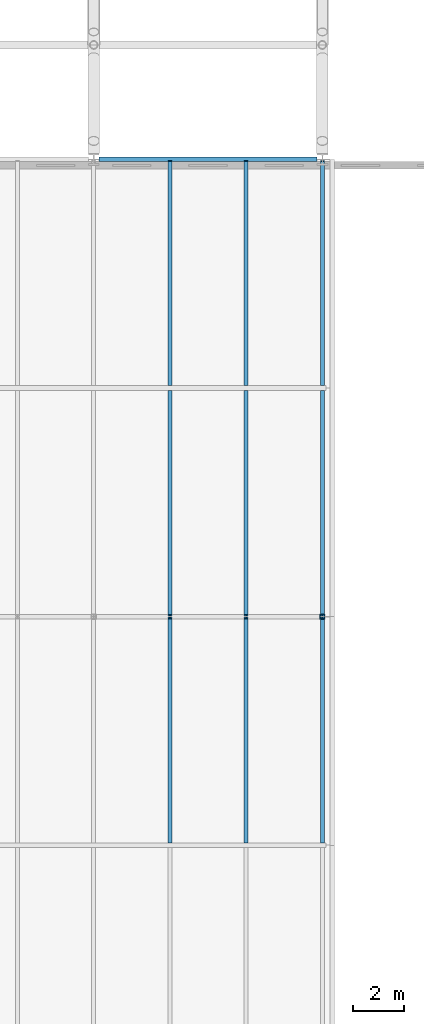
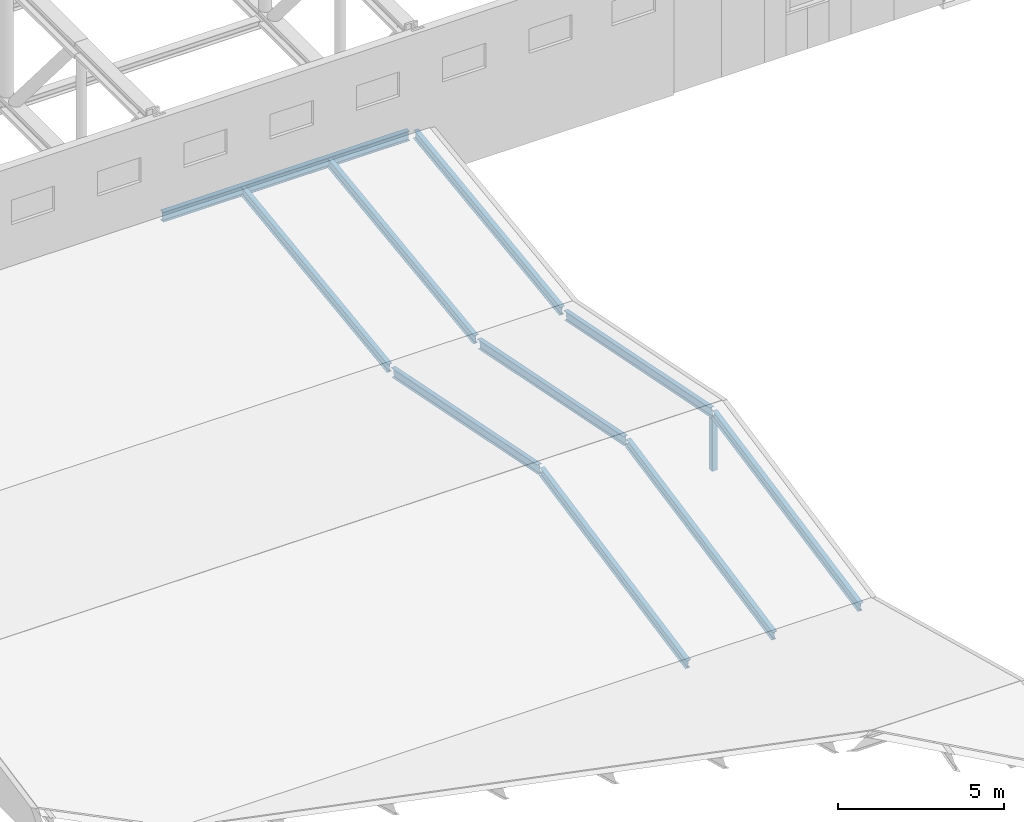
# One storey, part 18 of 29: 10 members, 1 beam.
"""IFC4 building model written with IfcOpenShell, lengths in metres."""

from ifc_helpers import new_model, si_unit, direction, frame, origin, origin_2d, place, context, subcontext, project, spatial, hollow_rectangle, i_section, extrude, material, material_profile, profile_set, type_object, element, save


model = new_model("IFC4")

# Units and contexts
model_context = context("Model", 3, precision=1e-05, world=origin(), true_north=direction((0.0, 1.0)))
body_context = subcontext(model_context, "Body", "Model", "MODEL_VIEW")
ifc_project = project(units=[si_unit("LENGTHUNIT", "METRE"), si_unit("AREAUNIT", "SQUARE_METRE"), si_unit("VOLUMEUNIT", "CUBIC_METRE"), si_unit("PLANEANGLEUNIT", "RADIAN"), si_unit("MASSUNIT", "GRAM", prefix="KILO")], contexts=[model_context])

# Site, building, storey
site_placement = place(None, origin())
site = spatial("IfcSite", under=ifc_project, at=site_placement, CompositionType="ELEMENT")
building_placement = place(site_placement, origin())
building = spatial("IfcBuilding", under=site, at=building_placement, Name="Azimuth Sports and Learning Centre", CompositionType="ELEMENT")
storey_placement = place(building_placement, frame((0.0, 0.0, 27.0)))
storey = spatial("IfcBuildingStorey", under=building, at=storey_placement, Name="L05", CompositionType="ELEMENT", Elevation=27.0)

# Beam
ifc_material_1 = material(Name="Steel S355", Category="steel")
ifc_material_profile_1 = material_profile(ifc_material_1, i_section(OverallWidth=0.169921875, OverallDepth=0.360107421875, WebThickness=0.008056640625, FlangeThickness=0.0126953125, FilletRadius=0.01806640625, at=origin_2d()), Name="IPE 360")
ifc_profile_set_1 = profile_set([ifc_material_profile_1], Name="Steel S355")
beam_type = type_object("IfcBeamType", Name="Beam IPE 360", PredefinedType="BEAM", material=ifc_profile_set_1)
beam_placement = place(storey_placement, frame((90.2119140625, 90.0, 1.46875), z_axis=(1.0, 0.0, 0.0), x_axis=(0.0, 1.0, 0.0)))
element("IfcBeam", 1, at=beam_placement, inside=storey, type_object=beam_type, Name="Beam L05 RF 13", PredefinedType="BEAM", context=body_context, shape_type="SweptSolid", body=[
    extrude(i_section(OverallWidth=0.169921875, OverallDepth=0.360107421875, WebThickness=0.008056640625, FlangeThickness=0.0126953125, FilletRadius=0.01806640625, at=origin_2d()), origin(), (0.0, 0.0, 1.0), 8.576171875),
])

# Members
ifc_material_2 = material(Name="Steel S355", Category="steel")
ifc_material_profile_2 = material_profile(ifc_material_2, i_section(OverallWidth=0.159912109375, OverallDepth=0.330078125, WebThickness=0.007568359375, FlangeThickness=0.011474609375, FilletRadius=0.01806640625, at=origin_2d()), Name="IPE 330")
ifc_profile_set_2 = profile_set([ifc_material_profile_2], Name="Steel S355")
member_type_1 = type_object("IfcMemberType", Name="Rafter IPE 330", PredefinedType="RAFTER", material=ifc_profile_set_2)
for number, where, z_axis, x_axis, name in (
    (2, (93.0, 63.12744140625, 0.30419921875), (0.0, 0.980581719653, 0.196110915255), (-1.0, 0.0, 0.0), "Rafter FOLD08 78"),
    (3, (96.0, 63.12744140625, 0.30419921875), (0.0, 0.980581719653, 0.196110915255), (-1.0, 0.0, 0.0), "Rafter FOLD08 79"),
    (4, (99.0, 63.12744140625, 0.30419921875), (0.0, 0.980581719653, 0.196110915255), (-1.0, 0.0, 0.0), "Rafter FOLD08 80"),
    (5, (93.0, 72.052734375, 2.068115234375), (0.0, 0.980581719653, -0.196110915255), (-1.0, 0.0, 0.0), "Rafter FOLD09 88"),
    (6, (96.0, 72.052734375, 2.068115234375), (0.0, 0.980581719653, -0.196110915255), (-1.0, 0.0, 0.0), "Rafter FOLD09 89"),
    (7, (99.0, 72.052734375, 2.068115234375), (0.0, 0.980581719653, -0.196110915255), (-1.0, 0.0, 0.0), "Rafter FOLD09 90"),
):
    element("IfcMember", number, at=place(storey_placement, frame(where, z_axis=z_axis, x_axis=x_axis)), inside=storey, type_object=member_type_1, Name=name, PredefinedType="RAFTER", context=body_context, shape_type="SweptSolid", body=[
        extrude(i_section(OverallWidth=0.159912109375, OverallDepth=0.330078125, WebThickness=0.007568359375, FlangeThickness=0.011474609375, FilletRadius=0.01806640625, at=origin_2d()), origin(), (0.0, 0.0, 1.0), 8.994384765625),
    ])
for number, where, z_axis, x_axis, name in (
    (8, (93.0, 81.11669921875, 0.2978515625), (0.0, 0.991227661054, 0.132165517294), (-1.0, 0.0, 0.0), "Rafter FOLD10 98"),
    (9, (96.0, 81.11669921875, 0.2978515625), (0.0, 0.991227661054, 0.132165517294), (-1.0, 0.0, 0.0), "Rafter FOLD10 99"),
    (10, (99.0, 81.11669921875, 0.2978515625), (0.0, 0.991227661054, 0.132165517294), (-1.0, 0.0, 0.0), "Rafter FOLD10 100"),
):
    element("IfcMember", number, at=place(storey_placement, frame(where, z_axis=z_axis, x_axis=x_axis)), inside=storey, type_object=member_type_1, Name=name, PredefinedType="RAFTER", context=body_context, shape_type="SweptSolid", body=[
        extrude(i_section(OverallWidth=0.159912109375, OverallDepth=0.330078125, WebThickness=0.007568359375, FlangeThickness=0.011474609375, FilletRadius=0.01806640625, at=origin_2d()), origin(), (0.0, 0.0, 1.0), 8.898193359375),
    ])
ifc_material_3 = material(Name="Steel S355", Category="steel")
ifc_material_profile_3 = material_profile(ifc_material_3, hollow_rectangle(XDim=0.199951171875, YDim=0.199951171875, WallThickness=0.010009765625, InnerFilletRadius=0.010009765625, OuterFilletRadius=0.014892578125, at=origin_2d()), Name="SHS 200x200x10.0")
ifc_profile_set_3 = profile_set([ifc_material_profile_3], Name="Steel S355")
member_type_2 = type_object("IfcMemberType", Name="Truss post SHS 200x200x10.0", PredefinedType="POST", material=ifc_profile_set_3)
member_placement = place(storey_placement, frame((99.0, 72.0, 0.0), z_axis=(0.0, 0.0, 1.0), x_axis=(1.0, 0.0, 0.0)))
element("IfcMember", 11, at=member_placement, inside=storey, type_object=member_type_2, Name="Ridge post 12J", PredefinedType="POST", context=body_context, shape_type="SweptSolid", body=[
    extrude(hollow_rectangle(XDim=0.199951171875, YDim=0.199951171875, WallThickness=0.010009765625, InnerFilletRadius=0.010009765625, OuterFilletRadius=0.014892578125, at=origin_2d()), origin(), (0.0, 0.0, 1.0), 1.886962890625),
])

save(model, "model.ifc")
